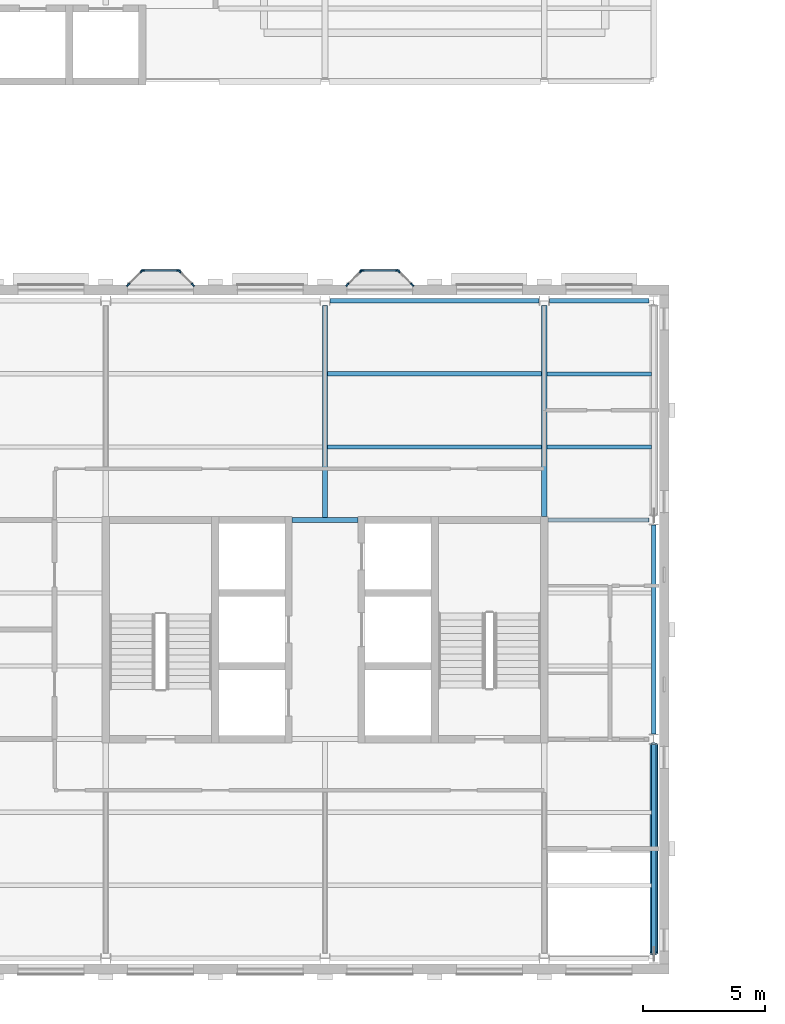
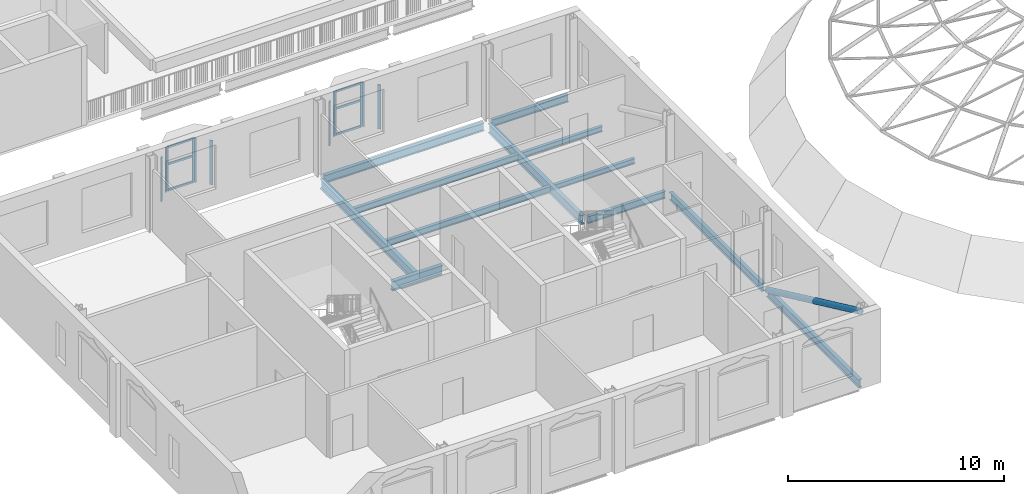
# One storey, part 2 of 33: 19 members, 12 beams, 6 elements without a shape of their own.
"""IFC4 building model written with IfcOpenShell, lengths in metres."""

from ifc_helpers import new_model, si_unit, direction, frame, origin, origin_2d, place, context, subcontext, project, spatial, rectangle, hollow_circle, i_section, extrude, material, layer, layer_set, material_profile, profile_set, type_object, element, aggregate, save


model = new_model("IFC4")

# Units and contexts
model_context = context("Model", 3, precision=1e-05, world=origin(), true_north=direction((0.0, 1.0)))
body_context = subcontext(model_context, "Body", "Model", "MODEL_VIEW")
ifc_project = project(units=[si_unit("LENGTHUNIT", "METRE"), si_unit("AREAUNIT", "SQUARE_METRE"), si_unit("VOLUMEUNIT", "CUBIC_METRE"), si_unit("PLANEANGLEUNIT", "RADIAN"), si_unit("MASSUNIT", "GRAM", prefix="KILO")], contexts=[model_context])

# Site, building, storey
site_placement = place(None, origin())
site = spatial("IfcSite", under=ifc_project, at=site_placement, CompositionType="ELEMENT")
building_placement = place(site_placement, origin())
building = spatial("IfcBuilding", under=site, at=building_placement, Name="Hortulan Conservatory and Botanical Research Centre", CompositionType="ELEMENT")
storey_placement = place(building_placement, frame((0.0, 0.0, 19.199951171875)))
storey = spatial("IfcBuildingStorey", under=building, at=storey_placement, Name="L04", CompositionType="ELEMENT", Elevation=19.199951171875)

# Member
ifc_material_1 = material(Name="Steel Grade C350L0 (350 MPa, AS/NZS 1163)", Category="steel")
ifc_material_profile_1 = material_profile(ifc_material_1, hollow_circle(Radius=0.161865234375, WallThickness=0.009521484375, at=origin_2d()), Name="323.9x9.5CHS")
ifc_profile_set_1 = profile_set([ifc_material_profile_1], Name="Steel Grade C350L0 (350 MPa, AS/NZS 1163)")
member_type_1 = type_object("IfcMemberType", Name="Brace 323.9x9.5CHS", PredefinedType="BRACE", material=ifc_profile_set_1)
member_1_placement = place(storey_placement, frame((31.5, 8.7890625, -0.261474609375), z_axis=(0.0, -0.906191046553, 0.422868522293), x_axis=(1.0, 0.0, 0.0)))
element("IfcMember", 1, at=member_1_placement, inside=storey, type_object=member_type_1, Name="323.9x9.5CHS brace", PredefinedType="BRACE", context=body_context, shape_type="SweptSolid", body=[
    extrude(hollow_circle(Radius=0.161865234375, WallThickness=0.009521484375, at=origin_2d()), origin(), (0.0, 0.0, 1.0), 9.466064453125),
])

# Curtain wall, members
ifc_material_2 = material(Name="Bronze-finished aluminium", Category="aluminium")
ifc_layer = layer(ifc_material_2, 0.10009765625)
ifc_layer_set = layer_set([ifc_layer], Name="Oriel Curtain Wall 1350 module")
curtain_wall_type = type_object("IfcCurtainWallType", Name="Oriel Curtain Wall 1350 module", PredefinedType="NOTDEFINED", material=ifc_layer_set)
curtain_wall_1_placement = place(storey_placement, origin())
curtain_wall_1 = element("IfcCurtainWall", 2, at=curtain_wall_1_placement, inside=storey, type_object=curtain_wall_type, Name="Oriel glazing", PredefinedType="NOTDEFINED")
ifc_material_profile_2 = material_profile(ifc_material_2, rectangle(XDim=0.06005859375, YDim=0.159912109375, at=origin_2d()), Name="Bronze Mullion 60x160")
ifc_profile_set_2 = profile_set([ifc_material_profile_2], Name="Bronze-finished aluminium")
member_type_2 = type_object("IfcMemberType", Name="Bronze Mullion 60x160", PredefinedType="MULLION", material=ifc_profile_set_2)
member_2_placement = place(storey_placement, frame((9.921142578125, 27.6572265625, 0.900146484375), z_axis=(0.0, 0.0, 1.0), x_axis=(-0.707106781187, 0.707106781187, 0.0)))
member_2 = element("IfcMember", 3, at=member_2_placement, type_object=member_type_2, Name="CW2 mullion 1", PredefinedType="MULLION", context=body_context, shape_type="SweptSolid", body=[
    extrude(rectangle(XDim=0.06005859375, YDim=0.159912109375, at=origin_2d()), origin(), (0.0, 0.0, 1.0), 2.5),
])
member_3_placement = place(storey_placement, frame((10.478759765625, 28.21484375, 0.900146484375), z_axis=(0.0, 0.0, 1.0), x_axis=(-0.707106781187, 0.707106781187, 0.0)))
member_3 = element("IfcMember", 4, at=member_3_placement, type_object=member_type_2, Name="CW2 mullion 2", PredefinedType="MULLION", context=body_context, shape_type="SweptSolid", body=[
    extrude(rectangle(XDim=0.06005859375, YDim=0.159912109375, at=origin_2d()), origin(), (0.0, 0.0, 1.0), 2.5),
])
aggregate(curtain_wall_1, [member_2, member_3])

curtain_wall_2_placement = place(storey_placement, origin())
curtain_wall_2 = element("IfcCurtainWall", 5, at=curtain_wall_2_placement, inside=storey, type_object=curtain_wall_type, Name="Oriel glazing", PredefinedType="NOTDEFINED")
member_4_placement = place(storey_placement, frame((10.530029296875, 28.236083984375, 0.900146484375), z_axis=(0.0, 0.0, 1.0), x_axis=(0.0, 1.0, 0.0)))
member_4 = element("IfcMember", 6, at=member_4_placement, type_object=member_type_2, Name="CW2 mullion 1", PredefinedType="MULLION", context=body_context, shape_type="SweptSolid", body=[
    extrude(rectangle(XDim=0.06005859375, YDim=0.159912109375, at=origin_2d()), origin(), (0.0, 0.0, 1.0), 2.5),
])
member_5_placement = place(storey_placement, frame((11.969970703125, 28.236083984375, 0.900146484375), z_axis=(0.0, 0.0, 1.0), x_axis=(0.0, 1.0, 0.0)))
member_5 = element("IfcMember", 7, at=member_5_placement, type_object=member_type_2, Name="CW2 mullion 2", PredefinedType="MULLION", context=body_context, shape_type="SweptSolid", body=[
    extrude(rectangle(XDim=0.06005859375, YDim=0.159912109375, at=origin_2d()), origin(), (0.0, 0.0, 1.0), 2.5),
])

curtain_wall_3_placement = place(storey_placement, origin())
curtain_wall_3 = element("IfcCurtainWall", 8, at=curtain_wall_3_placement, inside=storey, type_object=curtain_wall_type, Name="Oriel glazing", PredefinedType="NOTDEFINED")
member_6_placement = place(storey_placement, frame((12.021240234375, 28.21484375, 0.900146484375), z_axis=(0.0, 0.0, 1.0), x_axis=(0.707106781187, 0.707106781187, 0.0)))
member_6 = element("IfcMember", 9, at=member_6_placement, type_object=member_type_2, Name="CW2 mullion 1", PredefinedType="MULLION", context=body_context, shape_type="SweptSolid", body=[
    extrude(rectangle(XDim=0.06005859375, YDim=0.159912109375, at=origin_2d()), origin(), (0.0, 0.0, 1.0), 2.5),
])
member_7_placement = place(storey_placement, frame((12.578857421875, 27.6572265625, 0.900146484375), z_axis=(0.0, 0.0, 1.0), x_axis=(0.707106781187, 0.707106781187, 0.0)))
member_7 = element("IfcMember", 10, at=member_7_placement, type_object=member_type_2, Name="CW2 mullion 2", PredefinedType="MULLION", context=body_context, shape_type="SweptSolid", body=[
    extrude(rectangle(XDim=0.06005859375, YDim=0.159912109375, at=origin_2d()), origin(), (0.0, 0.0, 1.0), 2.5),
])
aggregate(curtain_wall_3, [member_6, member_7])

curtain_wall_4_placement = place(storey_placement, origin())
curtain_wall_4 = element("IfcCurtainWall", 11, at=curtain_wall_4_placement, inside=storey, type_object=curtain_wall_type, Name="Oriel glazing", PredefinedType="NOTDEFINED")
member_8_placement = place(storey_placement, frame((18.921142578125, 27.6572265625, 0.900146484375), z_axis=(0.0, 0.0, 1.0), x_axis=(-0.707106781187, 0.707106781187, 0.0)))
member_8 = element("IfcMember", 12, at=member_8_placement, type_object=member_type_2, Name="CW2 mullion 1", PredefinedType="MULLION", context=body_context, shape_type="SweptSolid", body=[
    extrude(rectangle(XDim=0.06005859375, YDim=0.159912109375, at=origin_2d()), origin(), (0.0, 0.0, 1.0), 2.5),
])
member_9_placement = place(storey_placement, frame((19.478759765625, 28.21484375, 0.900146484375), z_axis=(0.0, 0.0, 1.0), x_axis=(-0.707106781187, 0.707106781187, 0.0)))
member_9 = element("IfcMember", 13, at=member_9_placement, type_object=member_type_2, Name="CW2 mullion 2", PredefinedType="MULLION", context=body_context, shape_type="SweptSolid", body=[
    extrude(rectangle(XDim=0.06005859375, YDim=0.159912109375, at=origin_2d()), origin(), (0.0, 0.0, 1.0), 2.5),
])
aggregate(curtain_wall_4, [member_8, member_9])

curtain_wall_5_placement = place(storey_placement, origin())
curtain_wall_5 = element("IfcCurtainWall", 14, at=curtain_wall_5_placement, inside=storey, type_object=curtain_wall_type, Name="Oriel glazing", PredefinedType="NOTDEFINED")
member_10_placement = place(storey_placement, frame((19.530029296875, 28.236083984375, 0.900146484375), z_axis=(0.0, 0.0, 1.0), x_axis=(0.0, 1.0, 0.0)))
member_10 = element("IfcMember", 15, at=member_10_placement, type_object=member_type_2, Name="CW2 mullion 1", PredefinedType="MULLION", context=body_context, shape_type="SweptSolid", body=[
    extrude(rectangle(XDim=0.06005859375, YDim=0.159912109375, at=origin_2d()), origin(), (0.0, 0.0, 1.0), 2.5),
])
member_11_placement = place(storey_placement, frame((20.969970703125, 28.236083984375, 0.900146484375), z_axis=(0.0, 0.0, 1.0), x_axis=(0.0, 1.0, 0.0)))
member_11 = element("IfcMember", 16, at=member_11_placement, type_object=member_type_2, Name="CW2 mullion 2", PredefinedType="MULLION", context=body_context, shape_type="SweptSolid", body=[
    extrude(rectangle(XDim=0.06005859375, YDim=0.159912109375, at=origin_2d()), origin(), (0.0, 0.0, 1.0), 2.5),
])

curtain_wall_6_placement = place(storey_placement, origin())
curtain_wall_6 = element("IfcCurtainWall", 17, at=curtain_wall_6_placement, inside=storey, type_object=curtain_wall_type, Name="Oriel glazing", PredefinedType="NOTDEFINED")
member_12_placement = place(storey_placement, frame((21.021240234375, 28.21484375, 0.900146484375), z_axis=(0.0, 0.0, 1.0), x_axis=(0.707106781187, 0.707106781187, 0.0)))
member_12 = element("IfcMember", 18, at=member_12_placement, type_object=member_type_2, Name="CW2 mullion 1", PredefinedType="MULLION", context=body_context, shape_type="SweptSolid", body=[
    extrude(rectangle(XDim=0.06005859375, YDim=0.159912109375, at=origin_2d()), origin(), (0.0, 0.0, 1.0), 2.5),
])
member_13_placement = place(storey_placement, frame((21.578857421875, 27.6572265625, 0.900146484375), z_axis=(0.0, 0.0, 1.0), x_axis=(0.707106781187, 0.707106781187, 0.0)))
member_13 = element("IfcMember", 19, at=member_13_placement, type_object=member_type_2, Name="CW2 mullion 2", PredefinedType="MULLION", context=body_context, shape_type="SweptSolid", body=[
    extrude(rectangle(XDim=0.06005859375, YDim=0.159912109375, at=origin_2d()), origin(), (0.0, 0.0, 1.0), 2.5),
])
aggregate(curtain_wall_6, [member_12, member_13])

# Member
ifc_material_profile_3 = material_profile(ifc_material_2, rectangle(XDim=0.06005859375, YDim=0.1201171875, at=origin_2d()), Name="Bronze Transom 60x120")
ifc_profile_set_3 = profile_set([ifc_material_profile_3], Name="Bronze-finished aluminium")
member_type_3 = type_object("IfcMemberType", Name="Bronze Transom 60x120", PredefinedType="USERDEFINED", material=ifc_profile_set_3)
member_14_placement = place(storey_placement, frame((10.56005859375, 28.236083984375, 0.929931640625), z_axis=(1.0, 0.0, 0.0), x_axis=(0.0, 1.0, 0.0)))
member_14 = element("IfcMember", 20, at=member_14_placement, type_object=member_type_3, Name="CW2 transom 1.1", ObjectType="TRANSOM", PredefinedType="USERDEFINED", context=body_context, shape_type="SweptSolid", body=[
    extrude(rectangle(XDim=0.06005859375, YDim=0.1201171875, at=origin_2d()), origin(), (0.0, 0.0, 1.0), 1.3798828125),
])

member_15_placement = place(storey_placement, frame((10.56005859375, 28.236083984375, 2.400146484375), z_axis=(1.0, 0.0, 0.0), x_axis=(0.0, 1.0, 0.0)))
member_15 = element("IfcMember", 21, at=member_15_placement, type_object=member_type_3, Name="CW2 transom 1.2", ObjectType="TRANSOM", PredefinedType="USERDEFINED", context=body_context, shape_type="SweptSolid", body=[
    extrude(rectangle(XDim=0.06005859375, YDim=0.1201171875, at=origin_2d()), origin(), (0.0, 0.0, 1.0), 1.3798828125),
])

member_16_placement = place(storey_placement, frame((10.56005859375, 28.236083984375, 3.3701171875), z_axis=(1.0, 0.0, 0.0), x_axis=(0.0, 1.0, 0.0)))
member_16 = element("IfcMember", 22, at=member_16_placement, type_object=member_type_3, Name="CW2 transom 1.3", ObjectType="TRANSOM", PredefinedType="USERDEFINED", context=body_context, shape_type="SweptSolid", body=[
    extrude(rectangle(XDim=0.06005859375, YDim=0.1201171875, at=origin_2d()), origin(), (0.0, 0.0, 1.0), 1.3798828125),
])

aggregate(curtain_wall_2, [member_4, member_5, member_14, member_15, member_16])

member_17_placement = place(storey_placement, frame((19.56005859375, 28.236083984375, 0.929931640625), z_axis=(1.0, 0.0, 0.0), x_axis=(0.0, 1.0, 0.0)))
member_17 = element("IfcMember", 23, at=member_17_placement, type_object=member_type_3, Name="CW2 transom 1.1", ObjectType="TRANSOM", PredefinedType="USERDEFINED", context=body_context, shape_type="SweptSolid", body=[
    extrude(rectangle(XDim=0.06005859375, YDim=0.1201171875, at=origin_2d()), origin(), (0.0, 0.0, 1.0), 1.3798828125),
])

member_18_placement = place(storey_placement, frame((19.56005859375, 28.236083984375, 2.400146484375), z_axis=(1.0, 0.0, 0.0), x_axis=(0.0, 1.0, 0.0)))
member_18 = element("IfcMember", 24, at=member_18_placement, type_object=member_type_3, Name="CW2 transom 1.2", ObjectType="TRANSOM", PredefinedType="USERDEFINED", context=body_context, shape_type="SweptSolid", body=[
    extrude(rectangle(XDim=0.06005859375, YDim=0.1201171875, at=origin_2d()), origin(), (0.0, 0.0, 1.0), 1.3798828125),
])

member_19_placement = place(storey_placement, frame((19.56005859375, 28.236083984375, 3.3701171875), z_axis=(1.0, 0.0, 0.0), x_axis=(0.0, 1.0, 0.0)))
member_19 = element("IfcMember", 25, at=member_19_placement, type_object=member_type_3, Name="CW2 transom 1.3", ObjectType="TRANSOM", PredefinedType="USERDEFINED", context=body_context, shape_type="SweptSolid", body=[
    extrude(rectangle(XDim=0.06005859375, YDim=0.1201171875, at=origin_2d()), origin(), (0.0, 0.0, 1.0), 1.3798828125),
])

aggregate(curtain_wall_5, [member_10, member_11, member_17, member_18, member_19])

# Beams
ifc_material_3 = material(Name="Steel Grade 300PLUS (AS/NZS 3679.1, 280 MPa minimum yield)", Category="steel")
ifc_material_profile_4 = material_profile(ifc_material_3, i_section(OverallWidth=0.177978515625, OverallDepth=0.403076171875, WebThickness=0.007568359375, FlangeThickness=0.010986328125, FilletRadius=0.011474609375, at=origin_2d()), Name="410UB53.7")
ifc_profile_set_4 = profile_set([ifc_material_profile_4], Name="Steel Grade 300PLUS (AS/NZS 3679.1, 280 MPa minimum yield)")
beam_type_1 = type_object("IfcBeamType", Name="Primary Beam 410UB53.7", PredefinedType="BEAM", material=ifc_profile_set_4)
beam_1_placement = place(storey_placement, frame((27.2109375, 27.0, -0.33154296875), z_axis=(1.0, 0.0, 0.0), x_axis=(0.0, 1.0, 0.0)))
element("IfcBeam", 26, at=beam_1_placement, inside=storey, type_object=beam_type_1, Name="410UB53.7 girder", PredefinedType="BEAM", context=body_context, shape_type="SweptSolid", body=[
    extrude(i_section(OverallWidth=0.177978515625, OverallDepth=0.403076171875, WebThickness=0.007568359375, FlangeThickness=0.010986328125, FilletRadius=0.011474609375, at=origin_2d()), origin(), (0.0, 0.0, 1.0), 4.089111328125),
])
beam_2_placement = place(storey_placement, frame((27.14990234375, 18.0, -0.33154296875), z_axis=(1.0, 0.0, 0.0), x_axis=(0.0, 1.0, 0.0)))
element("IfcBeam", 27, at=beam_2_placement, inside=storey, type_object=beam_type_1, Name="410UB53.7 girder", PredefinedType="BEAM", context=body_context, shape_type="SweptSolid", body=[
    extrude(i_section(OverallWidth=0.177978515625, OverallDepth=0.403076171875, WebThickness=0.007568359375, FlangeThickness=0.010986328125, FilletRadius=0.011474609375, at=origin_2d()), origin(), (0.0, 0.0, 1.0), 4.150146484375),
])
ifc_material_profile_5 = material_profile(ifc_material_3, i_section(OverallWidth=0.19091796875, OverallDepth=0.4599609375, WebThickness=0.010009765625, FlangeThickness=0.01611328125, FilletRadius=0.011474609375, at=origin_2d()), Name="460UB82.1")
ifc_profile_set_5 = profile_set([ifc_material_profile_5], Name="Steel Grade 300PLUS (AS/NZS 3679.1, 280 MPa minimum yield)")
beam_type_2 = type_object("IfcBeamType", Name="Primary Beam 460UB82.1", PredefinedType="BEAM", material=ifc_profile_set_5)
for number, where, z_axis, x_axis, name in (
    (28, (18.2109375, 27.0, -0.35986328125), (1.0, 0.0, 0.0), (0.0, 1.0, 0.0), "460UB82.1 girder"),
    (29, (31.5, 0.2109375, -0.35986328125), (0.0, 1.0, 0.0), (-1.0, 0.0, 0.0), "460UB82.1 girder"),
    (30, (31.5, 9.2109375, -0.35986328125), (0.0, 1.0, 0.0), (-1.0, 0.0, 0.0), "460UB82.1 girder"),
):
    element("IfcBeam", number, at=place(storey_placement, frame(where, z_axis=z_axis, x_axis=x_axis)), inside=storey, type_object=beam_type_2, Name=name, PredefinedType="BEAM", context=body_context, shape_type="SweptSolid", body=[
        extrude(i_section(OverallWidth=0.19091796875, OverallDepth=0.4599609375, WebThickness=0.010009765625, FlangeThickness=0.01611328125, FilletRadius=0.011474609375, at=origin_2d()), origin(), (0.0, 0.0, 1.0), 8.578125),
    ])
ifc_material_profile_6 = material_profile(ifc_material_3, i_section(OverallWidth=0.208984375, OverallDepth=0.532958984375, WebThickness=0.01025390625, FlangeThickness=0.015625, FilletRadius=0.013916015625, at=origin_2d()), Name="530UB92.4")
ifc_profile_set_6 = profile_set([ifc_material_profile_6], Name="Steel Grade 300PLUS (AS/NZS 3679.1, 280 MPa minimum yield)")
beam_type_3 = type_object("IfcBeamType", Name="Primary Beam 530UB92.4", PredefinedType="BEAM", material=ifc_profile_set_6)
beam_3_placement = place(storey_placement, frame((16.64990234375, 18.0, -0.396484375), z_axis=(1.0, 0.0, 0.0), x_axis=(0.0, 1.0, 0.0)))
element("IfcBeam", 31, at=beam_3_placement, inside=storey, type_object=beam_type_3, Name="530UB92.4 girder", PredefinedType="BEAM", context=body_context, shape_type="SweptSolid", body=[
    extrude(i_section(OverallWidth=0.208984375, OverallDepth=0.532958984375, WebThickness=0.01025390625, FlangeThickness=0.015625, FilletRadius=0.013916015625, at=origin_2d()), origin(), (0.0, 0.0, 1.0), 2.7001953125),
])
beam_4_placement = place(storey_placement, frame((18.0, 18.0, -0.396484375), z_axis=(0.0, 1.0, 0.0), x_axis=(-1.0, 0.0, 0.0)))
element("IfcBeam", 32, at=beam_4_placement, inside=storey, type_object=beam_type_3, Name="530UB92.4 girder", PredefinedType="BEAM", context=body_context, shape_type="SweptSolid", body=[
    extrude(i_section(OverallWidth=0.208984375, OverallDepth=0.532958984375, WebThickness=0.01025390625, FlangeThickness=0.015625, FilletRadius=0.013916015625, at=origin_2d()), origin(), (0.0, 0.0, 1.0), 8.800048828125),
])
beam_5_placement = place(storey_placement, frame((27.0, 18.14990234375, -0.396484375), z_axis=(0.0, 1.0, 0.0), x_axis=(-1.0, 0.0, 0.0)))
element("IfcBeam", 33, at=beam_5_placement, inside=storey, type_object=beam_type_3, Name="530UB92.4 girder", PredefinedType="BEAM", context=body_context, shape_type="SweptSolid", body=[
    extrude(i_section(OverallWidth=0.208984375, OverallDepth=0.532958984375, WebThickness=0.01025390625, FlangeThickness=0.015625, FilletRadius=0.013916015625, at=origin_2d()), origin(), (0.0, 0.0, 1.0), 8.650146484375),
])
ifc_material_profile_7 = material_profile(ifc_material_3, i_section(OverallWidth=0.1650390625, OverallDepth=0.303955078125, WebThickness=0.006103515625, FlangeThickness=0.01025390625, FilletRadius=0.011474609375, at=origin_2d()), Name="310UB40.4")
ifc_profile_set_7 = profile_set([ifc_material_profile_7], Name="Steel Grade 300PLUS (AS/NZS 3679.1, 280 MPa minimum yield)")
beam_type_4 = type_object("IfcBeamType", Name="Secondary Beam 310UB40.4", PredefinedType="JOIST", material=ifc_profile_set_7)
for number, where, z_axis, x_axis, name in (
    (34, (27.1044921875, 21.0, -0.281982421875), (1.0, 0.0, 0.0), (0.0, 1.0, 0.0), "310UB40.4 secondary beam"),
    (35, (27.1044921875, 24.0, -0.281982421875), (1.0, 0.0, 0.0), (0.0, 1.0, 0.0), "310UB40.4 secondary beam"),
):
    element("IfcBeam", number, at=place(storey_placement, frame(where, z_axis=z_axis, x_axis=x_axis)), inside=storey, type_object=beam_type_4, Name=name, PredefinedType="JOIST", context=body_context, shape_type="SweptSolid", body=[
        extrude(i_section(OverallWidth=0.1650390625, OverallDepth=0.303955078125, WebThickness=0.006103515625, FlangeThickness=0.01025390625, FilletRadius=0.011474609375, at=origin_2d()), origin(), (0.0, 0.0, 1.0), 4.300048828125),
    ])
ifc_material_profile_8 = material_profile(ifc_material_3, i_section(OverallWidth=0.172119140625, OverallDepth=0.35888671875, WebThickness=0.008056640625, FlangeThickness=0.012939453125, FilletRadius=0.011474609375, at=origin_2d()), Name="360UB56.7")
ifc_profile_set_8 = profile_set([ifc_material_profile_8], Name="Steel Grade 300PLUS (AS/NZS 3679.1, 280 MPa minimum yield)")
beam_type_5 = type_object("IfcBeamType", Name="Secondary Beam 360UB56.7", PredefinedType="JOIST", material=ifc_profile_set_8)
for number, where, z_axis, x_axis, name in (
    (36, (18.1044921875, 21.0, -0.3095703125), (1.0, 0.0, 0.0), (0.0, 1.0, 0.0), "360UB56.7 secondary beam"),
    (37, (18.1044921875, 24.0, -0.3095703125), (1.0, 0.0, 0.0), (0.0, 1.0, 0.0), "360UB56.7 secondary beam"),
):
    element("IfcBeam", number, at=place(storey_placement, frame(where, z_axis=z_axis, x_axis=x_axis)), inside=storey, type_object=beam_type_5, Name=name, PredefinedType="JOIST", context=body_context, shape_type="SweptSolid", body=[
        extrude(i_section(OverallWidth=0.172119140625, OverallDepth=0.35888671875, WebThickness=0.008056640625, FlangeThickness=0.012939453125, FilletRadius=0.011474609375, at=origin_2d()), origin(), (0.0, 0.0, 1.0), 8.791015625),
    ])

save(model, "model.ifc")
